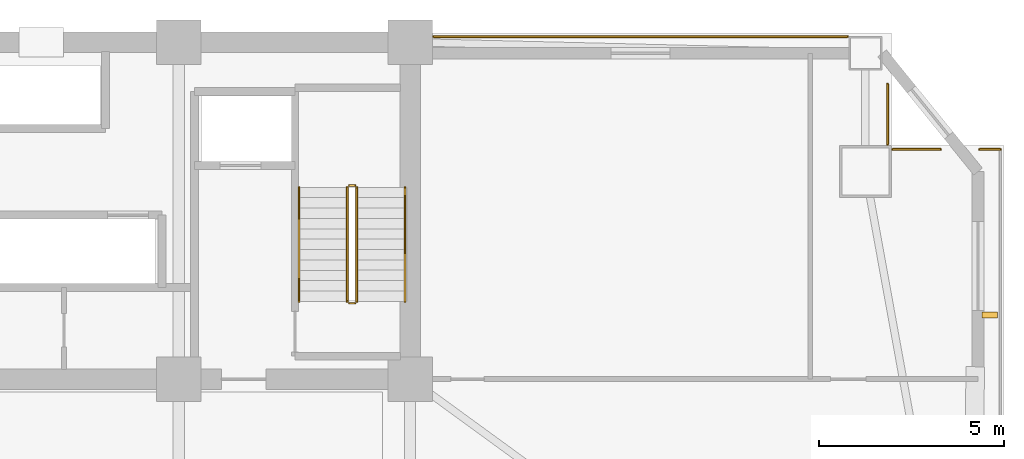
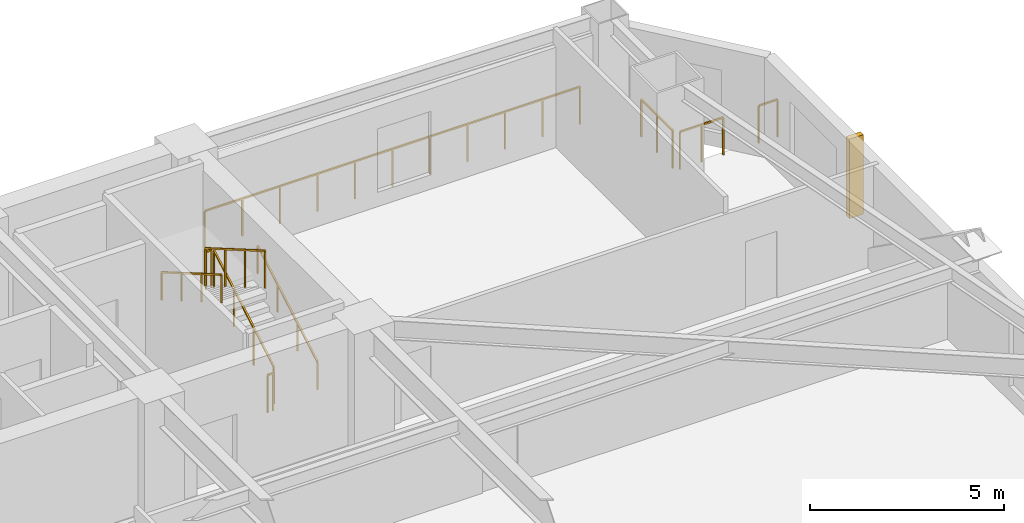
# One storey, part 15 of 15: 10 railings, 1 shading device.
"""IFC4 building model written with IfcOpenShell, lengths in metres."""

import ifcopenshell
import ifcopenshell.guid

model = None  # the IFC model being written
_history = None  # IfcOwnerHistory: only IFC2X3 demands one
_inside = {}  # id of a spatial element -> (the spatial element, [elements in it])
_under = {}  # id of a project, library or spatial element -> (it, [spatial elements below it])
_declared = {}  # id of a project -> (the project, [libraries it declares])
_typed = {}  # id of a type object -> (the type object, [elements of that type])
_made_of = {}  # id of a material, layer set ... -> (it, [elements and type objects made of it])


def new_model(schema):
    """Start an empty IFC model of exactly this schema.

    Asked for "IFC4X3", IfcOpenShell would pick the latest addendum, in which some entities
    have other attributes; the version numbers below select the first issue.
    IFC2X3 requires an IfcOwnerHistory on every rooted entity: one is made here for all.
    """
    global model, _history
    if schema == "IFC4X3":
        model = ifcopenshell.file(schema_version=(4, 3, 0, 0))
    else:
        model = ifcopenshell.file(schema=schema)
    _inside.clear()
    _under.clear()
    _declared.clear()
    _typed.clear()
    _made_of.clear()
    _history = None
    if model.schema == "IFC2X3":
        org = make("IfcOrganization", Name="unknown")
        user = make(
            "IfcPersonAndOrganization",
            ThePerson=make("IfcPerson", FamilyName="unknown"),
            TheOrganization=org,
        )
        app = make(
            "IfcApplication",
            ApplicationDeveloper=org,
            Version="unknown",
            ApplicationFullName="unknown",
            ApplicationIdentifier="unknown",
        )
        _history = make(
            "IfcOwnerHistory",
            OwningUser=user,
            OwningApplication=app,
            ChangeAction="ADDED",
            CreationDate=0,
        )
    return model


def make(cls, **values):
    """One entity of the class cls with the attributes given. An attribute that is None is left unset."""
    return model.create_entity(
        cls, **{name: value for name, value in values.items() if value is not None}
    )


def rooted(cls, **values):
    """An entity with a GlobalId (a new one), such as an element, a storey or a relation."""
    return make(cls, GlobalId=ifcopenshell.guid.new(), OwnerHistory=_history, **values)


def si_unit(unit_type, name, prefix=None):
    """IfcSIUnit, for example si_unit("LENGTHUNIT", "METRE", prefix="MILLI")."""
    return make("IfcSIUnit", UnitType=unit_type, Prefix=prefix, Name=name)


def assignment(units):
    """IfcUnitAssignment: the units of a project."""
    return None if units is None else make("IfcUnitAssignment", Units=units)


def point(xyz):
    """IfcCartesianPoint."""
    return None if xyz is None else make("IfcCartesianPoint", Coordinates=xyz)


def direction(xyz):
    """IfcDirection."""
    return None if xyz is None else make("IfcDirection", DirectionRatios=xyz)


def frame(location, z_axis=None, x_axis=None):
    """IfcAxis2Placement3D, a coordinate frame: its origin and axes. An axis left out is left unset."""
    return make(
        "IfcAxis2Placement3D",
        Location=point(location),
        Axis=direction(z_axis),
        RefDirection=direction(x_axis),
    )


def frame_2d(location, x_axis=None):
    """IfcAxis2Placement2D, a coordinate frame in the plane: its origin and x axis."""
    return make(
        "IfcAxis2Placement2D", Location=point(location), RefDirection=direction(x_axis)
    )


def origin():
    """The frame at (0, 0, 0) with its axes left unset."""
    return frame((0.0, 0.0, 0.0))


def origin_2d():
    """The frame at (0, 0) in the plane with its x axis left unset."""
    return frame_2d((0.0, 0.0))


def place(relative_to, where):
    """IfcLocalPlacement: puts the frame where relative to a parent placement (None: the world)."""
    return make(
        "IfcLocalPlacement", PlacementRelTo=relative_to, RelativePlacement=where
    )


def context(
    kind, dimensions, precision=None, world=None, true_north=None, identifier=None
):
    """IfcGeometricRepresentationContext, for example the 3D "Model" context."""
    return make(
        "IfcGeometricRepresentationContext",
        ContextIdentifier=identifier,
        ContextType=kind,
        CoordinateSpaceDimension=dimensions,
        Precision=precision,
        WorldCoordinateSystem=world,
        TrueNorth=true_north,
    )


def subcontext(parent, identifier, kind, view, scale=None):
    """IfcGeometricRepresentationSubContext, for example "Body" below "Model"."""
    return make(
        "IfcGeometricRepresentationSubContext",
        ContextIdentifier=identifier,
        ContextType=kind,
        ParentContext=parent,
        TargetScale=scale,
        TargetView=view,
    )


def project(units=None, contexts=None):
    """IfcProject with its units and contexts."""
    return rooted(
        "IfcProject",
        Name="project",
        RepresentationContexts=contexts,
        UnitsInContext=assignment(units),
    )


def spatial(cls, under=None, at=None, **own):
    """A site, building, storey or space (cls), placed at a placement, below another one or the project."""
    s = rooted(cls, ObjectPlacement=at, **own)
    if under is not None:
        _under.setdefault(under.id(), (under, []))[1].append(s)
    return s


def profile(cls, at=None, kind="AREA", **sizes):
    """A parametric profile (cls). Its sizes go by their IFC names, for example OverallWidth=200.0."""
    return make(cls, ProfileType=kind, Position=at, **sizes)


def rectangle(**sizes):
    """IfcRectangleProfileDef."""
    return profile("IfcRectangleProfileDef", **sizes)


def extrude(swept, where, along, depth):
    """IfcExtrudedAreaSolid: the profile swept, set in the frame where, extruded along a direction by depth."""
    return make(
        "IfcExtrudedAreaSolid",
        SweptArea=swept,
        Position=where,
        ExtrudedDirection=direction(along),
        Depth=depth,
    )


def shape(context_of_items, identifier, shape_type, items):
    """IfcShapeRepresentation: the items that make up one representation, for example the "Body"."""
    return make(
        "IfcShapeRepresentation",
        ContextOfItems=context_of_items,
        RepresentationIdentifier=identifier,
        RepresentationType=shape_type,
        Items=items,
    )


def source(mapping_origin, context_of_items, identifier, shape_type, items):
    """IfcRepresentationMap: a shape defined once, which mapped items show again and again."""
    return make(
        "IfcRepresentationMap",
        MappingOrigin=mapping_origin,
        MappedRepresentation=shape(context_of_items, identifier, shape_type, items),
    )


def transform(
    local_origin,
    x_axis=None,
    y_axis=None,
    z_axis=None,
    scale=None,
    scale2=None,
    scale3=None,
    uniform=True,
):
    """IfcCartesianTransformationOperator3D, or its non-uniform kind. x_axis, y_axis, z_axis: its Axis1, 2, 3."""
    if uniform:
        return make(
            "IfcCartesianTransformationOperator3D",
            Axis1=direction(x_axis),
            Axis2=direction(y_axis),
            LocalOrigin=point(local_origin),
            Scale=scale,
            Axis3=direction(z_axis),
        )
    return make(
        "IfcCartesianTransformationOperator3DnonUniform",
        Axis1=direction(x_axis),
        Axis2=direction(y_axis),
        LocalOrigin=point(local_origin),
        Scale=scale,
        Axis3=direction(z_axis),
        Scale2=scale2,
        Scale3=scale3,
    )


def mapped(mapping_source, mapping_target):
    """IfcMappedItem: shows the shape of a source again, moved by a transform."""
    return make(
        "IfcMappedItem", MappingSource=mapping_source, MappingTarget=mapping_target
    )


def material(Name=None, Category=None):
    """IfcMaterial."""
    return make("IfcMaterial", Name=Name, Category=Category)


def made_of(thing, what):
    """Note that an element or type object is made of a material, layer set ...; save() writes the relation."""
    if what is not None:
        _made_of.setdefault(what.id(), (what, []))[1].append(thing)
    return thing


def type_object(cls, material=None, **own):
    """A type object (cls), such as IfcWallType, which elements share."""
    return made_of(rooted(cls, **own), material)


def element(
    cls,
    number,
    at=None,
    inside=None,
    cuts=None,
    type_object=None,
    material=None,
    context=None,
    identifier="Body",
    shape_type=None,
    held_by="IfcProductDefinitionShape",
    body=None,
    shapes=None,
    **own,
):
    """One element of the class cls, such as IfcWall. Its Tag is "e" and its number.

    at: its placement. inside: the storey or other place that contains it. cuts: it is an
    opening in that element (IfcRelVoidsElement). A single representation is given by context,
    identifier, shape_type and body (its items); several are given by shapes. held_by: the class
    of the entity that holds the representations. save() writes the other relations.
    """
    e = rooted(cls, Tag="e%d" % number, ObjectPlacement=at, **own)
    if body is not None:
        shapes = [shape(context, identifier, shape_type, body)]
    if shapes is not None:
        e.Representation = make(held_by, Representations=shapes)
    if inside is not None:
        _inside.setdefault(inside.id(), (inside, []))[1].append(e)
    if cuts is not None:
        rooted(
            "IfcRelVoidsElement", RelatingBuildingElement=cuts, RelatedOpeningElement=e
        )
    if type_object is not None:
        _typed.setdefault(type_object.id(), (type_object, []))[1].append(e)
    return made_of(e, material)


def aggregate(whole, parts):
    """IfcRelAggregates: a whole, such as a stair, and the parts it consists of."""
    return rooted("IfcRelAggregates", RelatingObject=whole, RelatedObjects=parts)


def save(model, path):
    """Write the relations noted so far, then the file.

    IfcRelAggregates (storeys below a building ...), IfcRelContainedInSpatialStructure (elements
    in a storey), IfcRelDefinesByType, IfcRelAssociatesMaterial and IfcRelDeclares: one each for
    every whole, place, type object, material and project.
    """
    for whole, parts in _under.values():
        aggregate(whole, parts)
    for where, things in _inside.values():
        rooted(
            "IfcRelContainedInSpatialStructure",
            RelatedElements=things,
            RelatingStructure=where,
        )
    for kind, things in _typed.values():
        rooted("IfcRelDefinesByType", RelatedObjects=things, RelatingType=kind)
    for what, things in _made_of.values():
        rooted("IfcRelAssociatesMaterial", RelatedObjects=things, RelatingMaterial=what)
    for by, libraries in _declared.values():
        rooted("IfcRelDeclares", RelatingContext=by, RelatedDefinitions=libraries)
    model.write(path)


model = new_model("IFC4")

# Units and contexts
model_context = context("Model", 3, precision=1e-05, world=origin(), true_north=direction((0.0, 1.0)))
body_context = subcontext(model_context, "Body", "Model", "MODEL_VIEW")
ifc_project = project(units=[si_unit("LENGTHUNIT", "METRE"), si_unit("AREAUNIT", "SQUARE_METRE"), si_unit("VOLUMEUNIT", "CUBIC_METRE"), si_unit("PLANEANGLEUNIT", "RADIAN"), si_unit("MASSUNIT", "GRAM", prefix="KILO")], contexts=[model_context])

# Site, building, storey
site_placement = place(None, origin())
site = spatial("IfcSite", under=ifc_project, at=site_placement, CompositionType="ELEMENT")
building_placement = place(site_placement, origin())
building = spatial("IfcBuilding", under=site, at=building_placement, Name="Giltprow Tower", CompositionType="ELEMENT")
storey_placement = place(building_placement, frame((0.0, 0.0, 103.60009765625)))
storey = spatial("IfcBuildingStorey", under=building, at=storey_placement, Name="L25", CompositionType="ELEMENT", Elevation=103.60009765625)

# Railings
ifc_material = material(Name="Anodized bronze", Category="metal")
railing_type_1 = type_object("IfcRailingType", Name="RAIL-BALC-GUARD-1200", PredefinedType="BALUSTRADE", material=ifc_material)
railing_1_placement = place(storey_placement, frame((51.18505859375, 46.698974609375, 0.0)))
element("IfcRailing", 1, at=railing_1_placement, inside=storey, type_object=railing_type_1, Name="L25 Corner Apron Edge Balustrade 10", PredefinedType="BALUSTRADE", context=body_context, shape_type="SweptSolid", body=[
    extrude(rectangle(XDim=0.048095703125, YDim=0.048095703125, at=origin_2d()), frame((0.0, 0.0, 1.17578125), z_axis=(1.0, 0.0, 0.0), x_axis=(0.0, 1.0, 0.0)), (0.0, 0.0, 1.0), 11.177978515625),
    extrude(rectangle(XDim=0.0419921875, YDim=0.0419921875, at=origin_2d()), origin(), (0.0, 0.0, 1.0), 1.15185546875),
    extrude(rectangle(XDim=0.0419921875, YDim=0.0419921875, at=origin_2d()), frame((1.11767578125, 0.0, 0.0)), (0.0, 0.0, 1.0), 1.15185546875),
    extrude(rectangle(XDim=0.0419921875, YDim=0.0419921875, at=origin_2d()), frame((2.235595703125, 0.0, 0.0)), (0.0, 0.0, 1.0), 1.15185546875),
    extrude(rectangle(XDim=0.0419921875, YDim=0.0419921875, at=origin_2d()), frame((3.353515625, 0.0, 0.0)), (0.0, 0.0, 1.0), 1.15185546875),
    extrude(rectangle(XDim=0.0419921875, YDim=0.0419921875, at=origin_2d()), frame((4.47119140625, 0.0, 0.0)), (0.0, 0.0, 1.0), 1.15185546875),
    extrude(rectangle(XDim=0.0419921875, YDim=0.0419921875, at=origin_2d()), frame((5.5888671875, 0.0, 0.0)), (0.0, 0.0, 1.0), 1.15185546875),
    extrude(rectangle(XDim=0.0419921875, YDim=0.0419921875, at=origin_2d()), frame((6.706787109375, 0.0, 0.0)), (0.0, 0.0, 1.0), 1.15185546875),
    extrude(rectangle(XDim=0.0419921875, YDim=0.0419921875, at=origin_2d()), frame((7.824462890625, 0.0, 0.0)), (0.0, 0.0, 1.0), 1.15185546875),
    extrude(rectangle(XDim=0.0419921875, YDim=0.0419921875, at=origin_2d()), frame((8.9423828125, 0.0, 0.0)), (0.0, 0.0, 1.0), 1.15185546875),
    extrude(rectangle(XDim=0.0419921875, YDim=0.0419921875, at=origin_2d()), frame((10.06005859375, 0.0, 0.0)), (0.0, 0.0, 1.0), 1.15185546875),
    extrude(rectangle(XDim=0.0419921875, YDim=0.0419921875, at=origin_2d()), frame((11.177978515625, 0.0, 0.0)), (0.0, 0.0, 1.0), 1.15185546875),
])
railing_2_placement = place(storey_placement, frame((63.447998046875, 45.4150390625, 0.0)))
element("IfcRailing", 2, at=railing_2_placement, inside=storey, type_object=railing_type_1, Name="L25 Corner Apron Edge Balustrade 11", PredefinedType="BALUSTRADE", context=body_context, shape_type="SweptSolid", body=[
    extrude(rectangle(XDim=0.048095703125, YDim=0.048095703125, at=origin_2d()), frame((0.0, 0.0, 1.17578125), z_axis=(0.0, -1.0, 0.0), x_axis=(1.0, 0.0, 0.0)), (0.0, 0.0, 1.0), 1.6240234375),
    extrude(rectangle(XDim=0.0419921875, YDim=0.0419921875, at=origin_2d()), origin(), (0.0, 0.0, 1.0), 1.15185546875),
    extrude(rectangle(XDim=0.0419921875, YDim=0.0419921875, at=origin_2d()), frame((0.0, -0.81201171875, 0.0)), (0.0, 0.0, 1.0), 1.15185546875),
    extrude(rectangle(XDim=0.0419921875, YDim=0.0419921875, at=origin_2d()), frame((0.0, -1.6240234375, 0.0)), (0.0, 0.0, 1.0), 1.15185546875),
])
railing_3_placement = place(storey_placement, frame((63.5830078125, 43.656005859375, 0.0)))
element("IfcRailing", 3, at=railing_3_placement, inside=storey, type_object=railing_type_1, Name="L25 Corner Apron Edge Balustrade 12", PredefinedType="BALUSTRADE", context=body_context, shape_type="SweptSolid", body=[
    extrude(rectangle(XDim=0.048095703125, YDim=0.048095703125, at=origin_2d()), frame((0.0, 0.0, 1.17578125), z_axis=(1.0, 0.0, 0.0), x_axis=(0.0, 1.0, 0.0)), (0.0, 0.0, 1.0), 1.29296875),
    extrude(rectangle(XDim=0.0419921875, YDim=0.0419921875, at=origin_2d()), origin(), (0.0, 0.0, 1.0), 1.15185546875),
    extrude(rectangle(XDim=0.0419921875, YDim=0.0419921875, at=origin_2d()), frame((0.646484375, 0.0, 0.0)), (0.0, 0.0, 1.0), 1.15185546875),
    extrude(rectangle(XDim=0.0419921875, YDim=0.0419921875, at=origin_2d()), frame((1.29296875, 0.0, 0.0)), (0.0, 0.0, 1.0), 1.15185546875),
])
railing_4_placement = place(storey_placement, frame((65.931884765625, 43.656005859375, 0.0)))
element("IfcRailing", 4, at=railing_4_placement, inside=storey, type_object=railing_type_1, Name="L25 Corner Apron Edge Balustrade 13", PredefinedType="BALUSTRADE", context=body_context, shape_type="SweptSolid", body=[
    extrude(rectangle(XDim=0.048095703125, YDim=0.048095703125, at=origin_2d()), frame((0.0, 0.0, 1.17578125), z_axis=(1.0, 0.0, 0.0), x_axis=(0.0, 1.0, 0.0)), (0.0, 0.0, 1.0), 0.55908203125),
    extrude(rectangle(XDim=0.0419921875, YDim=0.0419921875, at=origin_2d()), origin(), (0.0, 0.0, 1.0), 1.15185546875),
    extrude(rectangle(XDim=0.0419921875, YDim=0.0419921875, at=origin_2d()), frame((0.55908203125, 0.0, 0.0)), (0.0, 0.0, 1.0), 1.15185546875),
])
railing_type_2 = type_object("IfcRailingType", Name="RAIL-STAIR-GUARD-1200", PredefinedType="GUARDRAIL", material=ifc_material)
railing_5_placement = place(storey_placement, frame((49.110107421875, 39.550048828125, 0.162353515625)))
element("IfcRailing", 5, at=railing_5_placement, inside=storey, type_object=railing_type_2, Name="L25 ST-3 stair guard 1", PredefinedType="GUARDRAIL", context=body_context, shape_type="SweptSolid", body=[
    extrude(rectangle(XDim=0.048095703125, YDim=0.048095703125, at=origin_2d()), frame((0.0, 0.0, 1.17578125), z_axis=(0.0, 0.864873446163, 0.501989962173), x_axis=(-1.0, 0.0, 0.0)), (0.0, 0.0, 1.0), 3.56103515625),
    extrude(rectangle(XDim=0.0419921875, YDim=0.0419921875, at=origin_2d()), origin(), (0.0, 0.0, 1.0), 1.15185546875),
    extrude(rectangle(XDim=0.0419921875, YDim=0.0419921875, at=origin_2d()), frame((0.0, 1.026611328125, 0.595947265625)), (0.0, 0.0, 1.0), 1.15185546875),
    extrude(rectangle(XDim=0.0419921875, YDim=0.0419921875, at=origin_2d()), frame((0.0, 2.05322265625, 1.191650390625)), (0.0, 0.0, 1.0), 1.15185546875),
    extrude(rectangle(XDim=0.0419921875, YDim=0.0419921875, at=origin_2d()), frame((0.0, 3.079833984375, 1.78759765625)), (0.0, 0.0, 1.0), 1.15185546875),
])
railing_6_placement = place(storey_placement, frame((49.06005859375, 42.679931640625, 1.949951171875)))
element("IfcRailing", 6, at=railing_6_placement, inside=storey, type_object=railing_type_2, Name="L25 ST-3 stair guard 2", PredefinedType="GUARDRAIL", context=body_context, shape_type="SweptSolid", body=[
    extrude(rectangle(XDim=0.048095703125, YDim=0.048095703125, at=origin_2d()), frame((0.0, 0.0, 1.17578125), z_axis=(-1.0, 0.0, 0.0), x_axis=(0.0, -1.0, 0.0)), (0.0, 0.0, 1.0), 0.16015625),
    extrude(rectangle(XDim=0.0419921875, YDim=0.0419921875, at=origin_2d()), origin(), (0.0, 0.0, 1.0), 1.15185546875),
    extrude(rectangle(XDim=0.0419921875, YDim=0.0419921875, at=origin_2d()), frame((-0.16015625, 0.0, 0.0)), (0.0, 0.0, 1.0), 1.15185546875),
])
railing_7_placement = place(storey_placement, frame((48.85009765625, 42.6298828125, 2.1123046875)))
element("IfcRailing", 7, at=railing_7_placement, inside=storey, type_object=railing_type_2, Name="L25 ST-3 stair guard 3", PredefinedType="GUARDRAIL", context=body_context, shape_type="SweptSolid", body=[
    extrude(rectangle(XDim=0.048095703125, YDim=0.048095703125, at=origin_2d()), frame((0.0, 0.0, 1.17578125), z_axis=(0.0, -0.864873446163, 0.501989962173), x_axis=(1.0, 0.0, 0.0)), (0.0, 0.0, 1.0), 3.56103515625),
    extrude(rectangle(XDim=0.0419921875, YDim=0.0419921875, at=origin_2d()), origin(), (0.0, 0.0, 1.0), 1.15185546875),
    extrude(rectangle(XDim=0.0419921875, YDim=0.0419921875, at=origin_2d()), frame((0.0, -1.026611328125, 0.595947265625)), (0.0, 0.0, 1.0), 1.15185546875),
    extrude(rectangle(XDim=0.0419921875, YDim=0.0419921875, at=origin_2d()), frame((0.0, -2.05322265625, 1.191650390625)), (0.0, 0.0, 1.0), 1.15185546875),
    extrude(rectangle(XDim=0.0419921875, YDim=0.0419921875, at=origin_2d()), frame((0.0, -3.079833984375, 1.78759765625)), (0.0, 0.0, 1.0), 1.15185546875),
])
railing_8_placement = place(storey_placement, frame((49.06005859375, 39.5, 0.0)))
element("IfcRailing", 8, at=railing_8_placement, inside=storey, type_object=railing_type_2, Name="L25 ST-3 stair guard 4", PredefinedType="GUARDRAIL", context=body_context, shape_type="SweptSolid", body=[
    extrude(rectangle(XDim=0.048095703125, YDim=0.048095703125, at=origin_2d()), frame((0.0, 0.0, 1.17578125), z_axis=(-1.0, 0.0, 0.0), x_axis=(0.0, -1.0, 0.0)), (0.0, 0.0, 1.0), 0.16015625),
    extrude(rectangle(XDim=0.0419921875, YDim=0.0419921875, at=origin_2d()), origin(), (0.0, 0.0, 1.0), 1.15185546875),
    extrude(rectangle(XDim=0.0419921875, YDim=0.0419921875, at=origin_2d()), frame((-0.16015625, 0.0, 0.0)), (0.0, 0.0, 1.0), 1.15185546875),
])
railing_type_3 = type_object("IfcRailingType", Name="RAIL-STAIR-HAND-900", PredefinedType="HANDRAIL", material=ifc_material)
railing_9_placement = place(storey_placement, frame((50.409912109375, 39.550048828125, 0.162353515625)))
element("IfcRailing", 9, at=railing_9_placement, inside=storey, type_object=railing_type_3, Name="L25 ST-3 stair handrail 1", PredefinedType="HANDRAIL", context=body_context, shape_type="SweptSolid", body=[
    extrude(rectangle(XDim=0.048095703125, YDim=0.048095703125, at=origin_2d()), frame((0.0, 0.0, 0.8759765625), z_axis=(0.0, 0.864873446163, 0.501989962173), x_axis=(-1.0, 0.0, 0.0)), (0.0, 0.0, 1.0), 3.56103515625),
    extrude(rectangle(XDim=0.0419921875, YDim=0.0419921875, at=origin_2d()), origin(), (0.0, 0.0, 1.0), 0.851806640625),
    extrude(rectangle(XDim=0.0419921875, YDim=0.0419921875, at=origin_2d()), frame((0.0, 1.026611328125, 0.595947265625)), (0.0, 0.0, 1.0), 0.851806640625),
    extrude(rectangle(XDim=0.0419921875, YDim=0.0419921875, at=origin_2d()), frame((0.0, 2.05322265625, 1.191650390625)), (0.0, 0.0, 1.0), 0.851806640625),
    extrude(rectangle(XDim=0.0419921875, YDim=0.0419921875, at=origin_2d()), frame((0.0, 3.079833984375, 1.78759765625)), (0.0, 0.0, 1.0), 0.851806640625),
])
railing_10_placement = place(storey_placement, frame((47.550048828125, 42.6298828125, 2.1123046875)))
element("IfcRailing", 10, at=railing_10_placement, inside=storey, type_object=railing_type_3, Name="L25 ST-3 stair handrail 2", PredefinedType="HANDRAIL", context=body_context, shape_type="SweptSolid", body=[
    extrude(rectangle(XDim=0.048095703125, YDim=0.048095703125, at=origin_2d()), frame((0.0, 0.0, 0.8759765625), z_axis=(0.0, -0.864873446163, 0.501989962173), x_axis=(1.0, 0.0, 0.0)), (0.0, 0.0, 1.0), 3.56103515625),
    extrude(rectangle(XDim=0.0419921875, YDim=0.0419921875, at=origin_2d()), origin(), (0.0, 0.0, 1.0), 0.851806640625),
    extrude(rectangle(XDim=0.0419921875, YDim=0.0419921875, at=origin_2d()), frame((0.0, -1.026611328125, 0.595947265625)), (0.0, 0.0, 1.0), 0.851806640625),
    extrude(rectangle(XDim=0.0419921875, YDim=0.0419921875, at=origin_2d()), frame((0.0, -2.05322265625, 1.191650390625)), (0.0, 0.0, 1.0), 0.851806640625),
    extrude(rectangle(XDim=0.0419921875, YDim=0.0419921875, at=origin_2d()), frame((0.0, -3.079833984375, 1.78759765625)), (0.0, 0.0, 1.0), 0.851806640625),
])

# Shading device
shading_device_type = type_object("IfcShadingDeviceType", Name="SHD-FIN-420", PredefinedType="USERDEFINED", material=ifc_material)
shared_shape = source(origin(), body_context, "Body", "SweptSolid", [
    extrude(rectangle(XDim=0.419921875, YDim=0.159912109375, at=origin_2d()), origin(), (0.0, 0.0, 1.0), 2.5),
])
shading_device_placement = place(storey_placement, frame((66.2109375, 39.18408203125, 0.349853515625), z_axis=(0.0, 0.0, 1.0), x_axis=(1.0, 0.0, 0.0)))
element("IfcShadingDevice", 11, at=shading_device_placement, inside=storey, type_object=shading_device_type, Name="L25 E Bronze Vertical Fin 2-2", ObjectType="FIN", PredefinedType="USERDEFINED", context=body_context, shape_type="MappedRepresentation", body=[
    mapped(shared_shape, transform((0.0, 0.0, 0.0), x_axis=(1.0, 0.0, 0.0), y_axis=(0.0, 1.0, 0.0), z_axis=(0.0, 0.0, 1.0), scale=1.0)),
])

save(model, "model.ifc")
